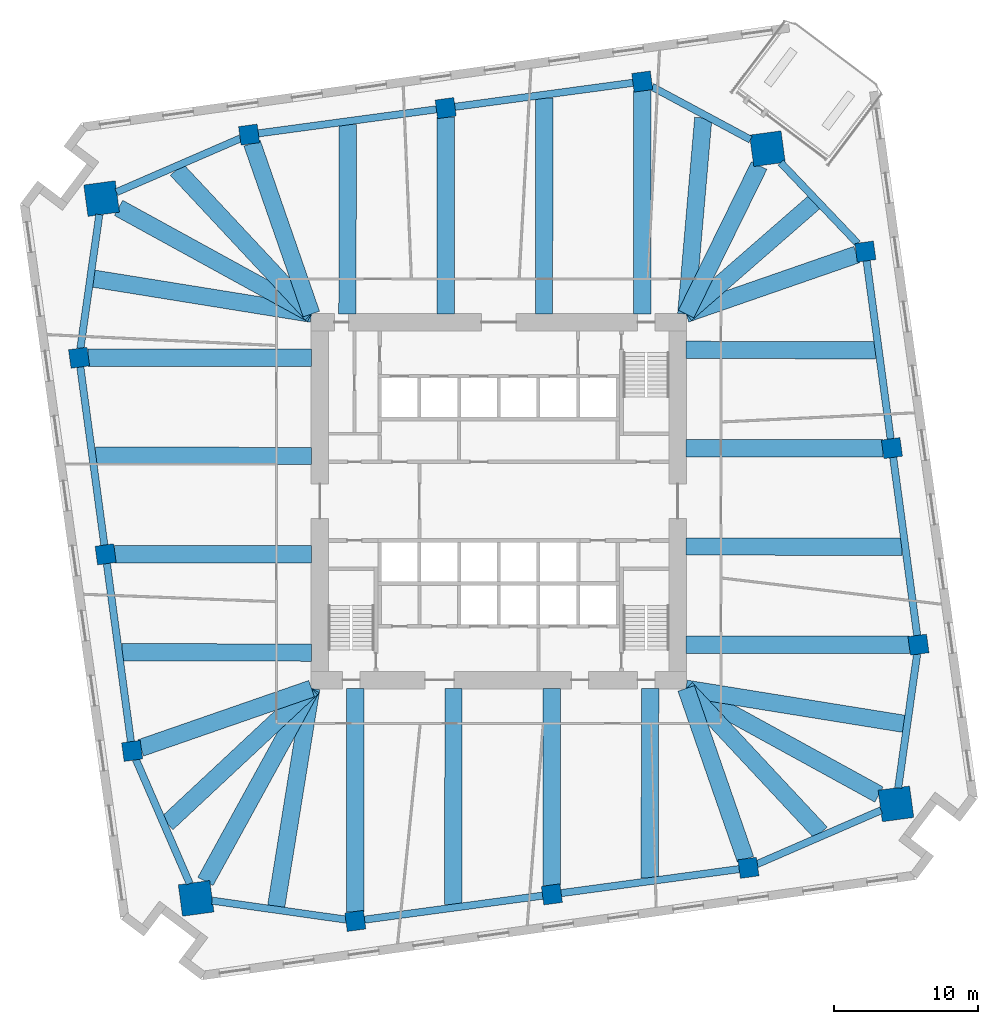
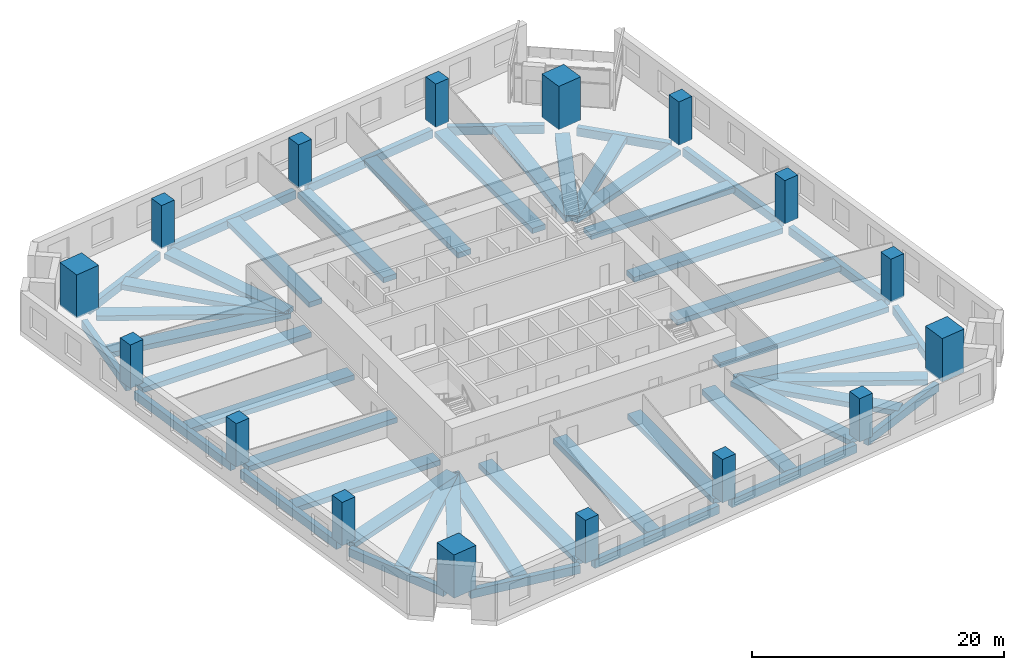
# One storey, part 1 of 12: 48 beams, 16 columns.
"""IFC4 building model written with IfcOpenShell, lengths in metres."""

import ifcopenshell
import ifcopenshell.guid

model = None  # the IFC model being written
_history = None  # IfcOwnerHistory: only IFC2X3 demands one
_inside = {}  # id of a spatial element -> (the spatial element, [elements in it])
_under = {}  # id of a project, library or spatial element -> (it, [spatial elements below it])
_declared = {}  # id of a project -> (the project, [libraries it declares])
_typed = {}  # id of a type object -> (the type object, [elements of that type])
_made_of = {}  # id of a material, layer set ... -> (it, [elements and type objects made of it])


def new_model(schema):
    """Start an empty IFC model of exactly this schema.

    Asked for "IFC4X3", IfcOpenShell would pick the latest addendum, in which some entities
    have other attributes; the version numbers below select the first issue.
    IFC2X3 requires an IfcOwnerHistory on every rooted entity: one is made here for all.
    """
    global model, _history
    if schema == "IFC4X3":
        model = ifcopenshell.file(schema_version=(4, 3, 0, 0))
    else:
        model = ifcopenshell.file(schema=schema)
    _inside.clear()
    _under.clear()
    _declared.clear()
    _typed.clear()
    _made_of.clear()
    _history = None
    if model.schema == "IFC2X3":
        org = make("IfcOrganization", Name="unknown")
        user = make(
            "IfcPersonAndOrganization",
            ThePerson=make("IfcPerson", FamilyName="unknown"),
            TheOrganization=org,
        )
        app = make(
            "IfcApplication",
            ApplicationDeveloper=org,
            Version="unknown",
            ApplicationFullName="unknown",
            ApplicationIdentifier="unknown",
        )
        _history = make(
            "IfcOwnerHistory",
            OwningUser=user,
            OwningApplication=app,
            ChangeAction="ADDED",
            CreationDate=0,
        )
    return model


def make(cls, **values):
    """One entity of the class cls with the attributes given. An attribute that is None is left unset."""
    return model.create_entity(
        cls, **{name: value for name, value in values.items() if value is not None}
    )


def rooted(cls, **values):
    """An entity with a GlobalId (a new one), such as an element, a storey or a relation."""
    return make(cls, GlobalId=ifcopenshell.guid.new(), OwnerHistory=_history, **values)


def si_unit(unit_type, name, prefix=None):
    """IfcSIUnit, for example si_unit("LENGTHUNIT", "METRE", prefix="MILLI")."""
    return make("IfcSIUnit", UnitType=unit_type, Prefix=prefix, Name=name)


def assignment(units):
    """IfcUnitAssignment: the units of a project."""
    return None if units is None else make("IfcUnitAssignment", Units=units)


def point(xyz):
    """IfcCartesianPoint."""
    return None if xyz is None else make("IfcCartesianPoint", Coordinates=xyz)


def direction(xyz):
    """IfcDirection."""
    return None if xyz is None else make("IfcDirection", DirectionRatios=xyz)


def frame(location, z_axis=None, x_axis=None):
    """IfcAxis2Placement3D, a coordinate frame: its origin and axes. An axis left out is left unset."""
    return make(
        "IfcAxis2Placement3D",
        Location=point(location),
        Axis=direction(z_axis),
        RefDirection=direction(x_axis),
    )


def frame_2d(location, x_axis=None):
    """IfcAxis2Placement2D, a coordinate frame in the plane: its origin and x axis."""
    return make(
        "IfcAxis2Placement2D", Location=point(location), RefDirection=direction(x_axis)
    )


def origin():
    """The frame at (0, 0, 0) with its axes left unset."""
    return frame((0.0, 0.0, 0.0))


def origin_2d():
    """The frame at (0, 0) in the plane with its x axis left unset."""
    return frame_2d((0.0, 0.0))


def place(relative_to, where):
    """IfcLocalPlacement: puts the frame where relative to a parent placement (None: the world)."""
    return make(
        "IfcLocalPlacement", PlacementRelTo=relative_to, RelativePlacement=where
    )


def context(
    kind, dimensions, precision=None, world=None, true_north=None, identifier=None
):
    """IfcGeometricRepresentationContext, for example the 3D "Model" context."""
    return make(
        "IfcGeometricRepresentationContext",
        ContextIdentifier=identifier,
        ContextType=kind,
        CoordinateSpaceDimension=dimensions,
        Precision=precision,
        WorldCoordinateSystem=world,
        TrueNorth=true_north,
    )


def subcontext(parent, identifier, kind, view, scale=None):
    """IfcGeometricRepresentationSubContext, for example "Body" below "Model"."""
    return make(
        "IfcGeometricRepresentationSubContext",
        ContextIdentifier=identifier,
        ContextType=kind,
        ParentContext=parent,
        TargetScale=scale,
        TargetView=view,
    )


def project(units=None, contexts=None):
    """IfcProject with its units and contexts."""
    return rooted(
        "IfcProject",
        Name="project",
        RepresentationContexts=contexts,
        UnitsInContext=assignment(units),
    )


def spatial(cls, under=None, at=None, **own):
    """A site, building, storey or space (cls), placed at a placement, below another one or the project."""
    s = rooted(cls, ObjectPlacement=at, **own)
    if under is not None:
        _under.setdefault(under.id(), (under, []))[1].append(s)
    return s


def profile(cls, at=None, kind="AREA", **sizes):
    """A parametric profile (cls). Its sizes go by their IFC names, for example OverallWidth=200.0."""
    return make(cls, ProfileType=kind, Position=at, **sizes)


def rectangle(**sizes):
    """IfcRectangleProfileDef."""
    return profile("IfcRectangleProfileDef", **sizes)


def extrude(swept, where, along, depth):
    """IfcExtrudedAreaSolid: the profile swept, set in the frame where, extruded along a direction by depth."""
    return make(
        "IfcExtrudedAreaSolid",
        SweptArea=swept,
        Position=where,
        ExtrudedDirection=direction(along),
        Depth=depth,
    )


def shape(context_of_items, identifier, shape_type, items):
    """IfcShapeRepresentation: the items that make up one representation, for example the "Body"."""
    return make(
        "IfcShapeRepresentation",
        ContextOfItems=context_of_items,
        RepresentationIdentifier=identifier,
        RepresentationType=shape_type,
        Items=items,
    )


def material(Name=None, Category=None):
    """IfcMaterial."""
    return make("IfcMaterial", Name=Name, Category=Category)


def material_profile(
    of_material, cross_section, Name=None, Category=None, Priority=None
):
    """IfcMaterialProfile: a cross section and its material."""
    return make(
        "IfcMaterialProfile",
        Name=Name,
        Material=of_material,
        Profile=cross_section,
        Priority=Priority,
        Category=Category,
    )


def profile_set(profiles, Name=None, composite=None):
    """IfcMaterialProfileSet."""
    return make(
        "IfcMaterialProfileSet",
        Name=Name,
        MaterialProfiles=profiles,
        CompositeProfile=composite,
    )


def made_of(thing, what):
    """Note that an element or type object is made of a material, layer set ...; save() writes the relation."""
    if what is not None:
        _made_of.setdefault(what.id(), (what, []))[1].append(thing)
    return thing


def type_object(cls, material=None, **own):
    """A type object (cls), such as IfcWallType, which elements share."""
    return made_of(rooted(cls, **own), material)


def element(
    cls,
    number,
    at=None,
    inside=None,
    cuts=None,
    type_object=None,
    material=None,
    context=None,
    identifier="Body",
    shape_type=None,
    held_by="IfcProductDefinitionShape",
    body=None,
    shapes=None,
    **own,
):
    """One element of the class cls, such as IfcWall. Its Tag is "e" and its number.

    at: its placement. inside: the storey or other place that contains it. cuts: it is an
    opening in that element (IfcRelVoidsElement). A single representation is given by context,
    identifier, shape_type and body (its items); several are given by shapes. held_by: the class
    of the entity that holds the representations. save() writes the other relations.
    """
    e = rooted(cls, Tag="e%d" % number, ObjectPlacement=at, **own)
    if body is not None:
        shapes = [shape(context, identifier, shape_type, body)]
    if shapes is not None:
        e.Representation = make(held_by, Representations=shapes)
    if inside is not None:
        _inside.setdefault(inside.id(), (inside, []))[1].append(e)
    if cuts is not None:
        rooted(
            "IfcRelVoidsElement", RelatingBuildingElement=cuts, RelatedOpeningElement=e
        )
    if type_object is not None:
        _typed.setdefault(type_object.id(), (type_object, []))[1].append(e)
    return made_of(e, material)


def aggregate(whole, parts):
    """IfcRelAggregates: a whole, such as a stair, and the parts it consists of."""
    return rooted("IfcRelAggregates", RelatingObject=whole, RelatedObjects=parts)


def save(model, path):
    """Write the relations noted so far, then the file.

    IfcRelAggregates (storeys below a building ...), IfcRelContainedInSpatialStructure (elements
    in a storey), IfcRelDefinesByType, IfcRelAssociatesMaterial and IfcRelDeclares: one each for
    every whole, place, type object, material and project.
    """
    for whole, parts in _under.values():
        aggregate(whole, parts)
    for where, things in _inside.values():
        rooted(
            "IfcRelContainedInSpatialStructure",
            RelatedElements=things,
            RelatingStructure=where,
        )
    for kind, things in _typed.values():
        rooted("IfcRelDefinesByType", RelatedObjects=things, RelatingType=kind)
    for what, things in _made_of.values():
        rooted("IfcRelAssociatesMaterial", RelatedObjects=things, RelatingMaterial=what)
    for by, libraries in _declared.values():
        rooted("IfcRelDeclares", RelatingContext=by, RelatedDefinitions=libraries)
    model.write(path)


model = new_model("IFC4")

# Units and contexts
model_context = context("Model", 3, precision=1e-05, world=origin(), true_north=direction((0.0, 1.0)))
body_context = subcontext(model_context, "Body", "Model", "MODEL_VIEW")
ifc_project = project(units=[si_unit("LENGTHUNIT", "METRE"), si_unit("AREAUNIT", "SQUARE_METRE"), si_unit("VOLUMEUNIT", "CUBIC_METRE"), si_unit("PLANEANGLEUNIT", "RADIAN"), si_unit("MASSUNIT", "GRAM", prefix="KILO")], contexts=[model_context])

# Site, building, storey
site_placement = place(None, origin())
site = spatial("IfcSite", under=ifc_project, at=site_placement, CompositionType="ELEMENT")
building_placement = place(site_placement, origin())
building = spatial("IfcBuilding", under=site, at=building_placement, Name="Dilmun Exchange Tower", CompositionType="ELEMENT")
storey_placement = place(building_placement, frame((0.0, 0.0, 55.5)))
storey = spatial("IfcBuildingStorey", under=building, at=storey_placement, Name="L12", CompositionType="ELEMENT", Elevation=55.5)

# Columns
ifc_material_1 = material(Name="Concrete C80/95", Category="concrete")
ifc_material_profile_1 = material_profile(ifc_material_1, rectangle(XDim=2.199951171875, YDim=2.199951171875, at=origin_2d()), Name="2200 x 2200")
ifc_profile_set_1 = profile_set([ifc_material_profile_1], Name="Concrete C80/95")
column_type_1 = type_object("IfcColumnType", Name="RC mega column 2200 x 2200 C80/95", PredefinedType="COLUMN", material=ifc_profile_set_1)
for number, where, z_axis, x_axis, name in (
    (1, (18.6220703125, 24.43701171875, 0.0), (0.0, 0.0, 1.0), (0.991001197216, 0.133853005627, 0.0), "Mega column M1"),
    (2, (-27.531005859375, 20.97900390625, 0.0), (0.0, 0.0, 1.0), (0.991001197216, 0.133853005627, 0.0), "Mega column M2"),
    (3, (-20.97900390625, -27.531005859375, 0.0), (0.0, 0.0, 1.0), (0.991001197216, 0.133853005627, 0.0), "Mega column M3"),
    (4, (27.531005859375, -20.97900390625, 0.0), (0.0, 0.0, 1.0), (0.991001197216, 0.133853005627, 0.0), "Mega column M4"),
):
    element("IfcColumn", number, at=place(storey_placement, frame(where, z_axis=z_axis, x_axis=x_axis)), inside=storey, type_object=column_type_1, Name=name, PredefinedType="COLUMN", context=body_context, shape_type="SweptSolid", body=[
        extrude(rectangle(XDim=2.199951171875, YDim=2.199951171875, at=origin_2d()), origin(), (0.0, 0.0, 1.0), 4.199951171875),
    ])
ifc_material_profile_2 = material_profile(ifc_material_1, rectangle(XDim=1.300048828125, YDim=1.300048828125, at=origin_2d()), Name="1300 x 1300")
ifc_profile_set_2 = profile_set([ifc_material_profile_2], Name="Concrete C80/95")
column_type_2 = type_object("IfcColumnType", Name="RC ring column 1300 x 1300 C80/95", PredefinedType="COLUMN", material=ifc_profile_set_2)
for number, where, z_axis, x_axis, name in (
    (5, (9.945068359375, 29.093017578125, 0.0), (0.0, 0.0, 1.0), (0.991001197216, 0.133853005627, 0.0), "Ring column R01"),
    (6, (-3.680908203125, 27.2529296875, 0.0), (0.0, 0.0, 1.0), (0.991001197216, 0.133853005627, 0.0), "Ring column R02"),
    (7, (-17.306884765625, 25.412109375, 0.0), (0.0, 0.0, 1.0), (0.991001197216, 0.133853005627, 0.0), "Ring column R03"),
    (8, (-29.093017578125, 9.945068359375, 0.0), (0.0, 0.0, 1.0), (0.991001197216, 0.133853005627, 0.0), "Ring column R04"),
    (9, (-27.2529296875, -3.680908203125, 0.0), (0.0, 0.0, 1.0), (0.991001197216, 0.133853005627, 0.0), "Ring column R05"),
    (10, (-25.412109375, -17.306884765625, 0.0), (0.0, 0.0, 1.0), (0.991001197216, 0.133853005627, 0.0), "Ring column R06"),
    (11, (-9.945068359375, -29.093017578125, 0.0), (0.0, 0.0, 1.0), (0.991001197216, 0.133853005627, 0.0), "Ring column R07"),
    (12, (3.680908203125, -27.2529296875, 0.0), (0.0, 0.0, 1.0), (0.991001197216, 0.133853005627, 0.0), "Ring column R08"),
    (13, (17.306884765625, -25.412109375, 0.0), (0.0, 0.0, 1.0), (0.991001197216, 0.133853005627, 0.0), "Ring column R09"),
    (14, (29.093017578125, -9.945068359375, 0.0), (0.0, 0.0, 1.0), (0.991001197216, 0.133853005627, 0.0), "Ring column R10"),
    (15, (27.2529296875, 3.680908203125, 0.0), (0.0, 0.0, 1.0), (0.991001197216, 0.133853005627, 0.0), "Ring column R11"),
    (16, (25.412109375, 17.306884765625, 0.0), (0.0, 0.0, 1.0), (0.991001197216, 0.133853005627, 0.0), "Ring column R12"),
):
    element("IfcColumn", number, at=place(storey_placement, frame(where, z_axis=z_axis, x_axis=x_axis)), inside=storey, type_object=column_type_2, Name=name, PredefinedType="COLUMN", context=body_context, shape_type="SweptSolid", body=[
        extrude(rectangle(XDim=1.300048828125, YDim=1.300048828125, at=origin_2d()), origin(), (0.0, 0.0, 1.0), 4.199951171875),
    ])

# Beams
ifc_material_2 = material(Name="Concrete C40/50", Category="concrete")
ifc_material_profile_3 = material_profile(ifc_material_2, rectangle(XDim=1.199951171875, YDim=0.5, at=origin_2d()), Name="1200 x 500")
ifc_profile_set_3 = profile_set([ifc_material_profile_3], Name="Concrete C40/50")
beam_type_1 = type_object("IfcBeamType", Name="RC band beam 1200 x 500 C40/50", PredefinedType="BEAM", material=ifc_profile_set_3)
beam_1_placement = place(storey_placement, frame((18.049560546875, 23.272216796875, -0.699951171875), z_axis=(-0.44116009834, -0.897428419225, 0.0), x_axis=(0.897428419225, -0.44116009834, 0.0)))
element("IfcBeam", 17, at=beam_1_placement, inside=storey, type_object=beam_type_1, Name="Band beam 1", PredefinedType="BEAM", context=body_context, shape_type="SweptSolid", body=[
    extrude(rectangle(XDim=1.199951171875, YDim=0.5, at=origin_2d()), origin(), (0.0, 0.0, 1.0), 11.47314453125),
])
beam_2_placement = place(storey_placement, frame((9.945068359375, 28.464111328125, -0.699951171875), z_axis=(0.0, -1.0, 0.0), x_axis=(1.0, 0.0, 0.0)))
element("IfcBeam", 18, at=beam_2_placement, inside=storey, type_object=beam_type_1, Name="Band beam 2", PredefinedType="BEAM", context=body_context, shape_type="SweptSolid", body=[
    extrude(rectangle(XDim=1.199951171875, YDim=0.5, at=origin_2d()), origin(), (0.0, 0.0, 1.0), 15.4912109375),
])
beam_3_placement = place(storey_placement, frame((-3.680908203125, 26.6240234375, -0.699951171875), z_axis=(0.0, -1.0, 0.0), x_axis=(1.0, 0.0, 0.0)))
element("IfcBeam", 19, at=beam_3_placement, inside=storey, type_object=beam_type_1, Name="Band beam 3", PredefinedType="BEAM", context=body_context, shape_type="SweptSolid", body=[
    extrude(rectangle(XDim=1.199951171875, YDim=0.5, at=origin_2d()), origin(), (0.0, 0.0, 1.0), 13.651123046875),
])
beam_4_placement = place(storey_placement, frame((-17.098388671875, 24.81103515625, -0.699951171875), z_axis=(0.327819910959, -0.94474023201, 0.0), x_axis=(0.94474023201, 0.327819910959, 0.0)))
element("IfcBeam", 20, at=beam_4_placement, inside=storey, type_object=beam_type_1, Name="Band beam 4", PredefinedType="BEAM", context=body_context, shape_type="SweptSolid", body=[
    extrude(rectangle(XDim=1.199951171875, YDim=0.5, at=origin_2d()), origin(), (0.0, 0.0, 1.0), 12.52880859375),
])
beam_5_placement = place(storey_placement, frame((-26.355712890625, 20.333740234375, -0.699951171875), z_axis=(0.876547324806, -0.481315683699, 0.0), x_axis=(0.481315683699, 0.876547324806, 0.0)))
element("IfcBeam", 21, at=beam_5_placement, inside=storey, type_object=beam_type_1, Name="Band beam 5", PredefinedType="BEAM", context=body_context, shape_type="SweptSolid", body=[
    extrude(rectangle(XDim=1.199951171875, YDim=0.5, at=origin_2d()), origin(), (0.0, 0.0, 1.0), 15.263671875),
])
beam_6_placement = place(storey_placement, frame((-28.464111328125, 9.945068359375, -0.699951171875), z_axis=(1.0, 0.0, 0.0), x_axis=(0.0, 1.0, 0.0)))
element("IfcBeam", 22, at=beam_6_placement, inside=storey, type_object=beam_type_1, Name="Band beam 6", PredefinedType="BEAM", context=body_context, shape_type="SweptSolid", body=[
    extrude(rectangle(XDim=1.199951171875, YDim=0.5, at=origin_2d()), origin(), (0.0, 0.0, 1.0), 15.4912109375),
])
beam_7_placement = place(storey_placement, frame((-26.6240234375, -3.680908203125, -0.699951171875), z_axis=(1.0, 0.0, 0.0), x_axis=(0.0, 1.0, 0.0)))
element("IfcBeam", 23, at=beam_7_placement, inside=storey, type_object=beam_type_1, Name="Band beam 7", PredefinedType="BEAM", context=body_context, shape_type="SweptSolid", body=[
    extrude(rectangle(XDim=1.199951171875, YDim=0.5, at=origin_2d()), origin(), (0.0, 0.0, 1.0), 13.651123046875),
])
beam_8_placement = place(storey_placement, frame((-24.81103515625, -17.098388671875, -0.699951171875), z_axis=(0.94474023201, 0.327819910959, 0.0), x_axis=(-0.327819910959, 0.94474023201, 0.0)))
element("IfcBeam", 24, at=beam_8_placement, inside=storey, type_object=beam_type_1, Name="Band beam 8", PredefinedType="BEAM", context=body_context, shape_type="SweptSolid", body=[
    extrude(rectangle(XDim=1.199951171875, YDim=0.5, at=origin_2d()), origin(), (0.0, 0.0, 1.0), 12.52880859375),
])
beam_9_placement = place(storey_placement, frame((-20.333740234375, -26.355712890625, -0.699951171875), z_axis=(0.481315683699, 0.876547324806, 0.0), x_axis=(-0.876547324806, 0.481315683699, 0.0)))
element("IfcBeam", 25, at=beam_9_placement, inside=storey, type_object=beam_type_1, Name="Band beam 9", PredefinedType="BEAM", context=body_context, shape_type="SweptSolid", body=[
    extrude(rectangle(XDim=1.199951171875, YDim=0.5, at=origin_2d()), origin(), (0.0, 0.0, 1.0), 15.263671875),
])
beam_10_placement = place(storey_placement, frame((-9.945068359375, -28.464111328125, -0.699951171875), z_axis=(0.0, 1.0, 0.0), x_axis=(-1.0, 0.0, 0.0)))
element("IfcBeam", 26, at=beam_10_placement, inside=storey, type_object=beam_type_1, Name="Band beam 10", PredefinedType="BEAM", context=body_context, shape_type="SweptSolid", body=[
    extrude(rectangle(XDim=1.199951171875, YDim=0.5, at=origin_2d()), origin(), (0.0, 0.0, 1.0), 15.4912109375),
])
beam_11_placement = place(storey_placement, frame((3.680908203125, -26.6240234375, -0.699951171875), z_axis=(0.0, 1.0, 0.0), x_axis=(-1.0, 0.0, 0.0)))
element("IfcBeam", 27, at=beam_11_placement, inside=storey, type_object=beam_type_1, Name="Band beam 11", PredefinedType="BEAM", context=body_context, shape_type="SweptSolid", body=[
    extrude(rectangle(XDim=1.199951171875, YDim=0.5, at=origin_2d()), origin(), (0.0, 0.0, 1.0), 13.651123046875),
])
beam_12_placement = place(storey_placement, frame((17.098388671875, -24.81103515625, -0.699951171875), z_axis=(-0.327819910959, 0.94474023201, 0.0), x_axis=(-0.94474023201, -0.327819910959, 0.0)))
element("IfcBeam", 28, at=beam_12_placement, inside=storey, type_object=beam_type_1, Name="Band beam 12", PredefinedType="BEAM", context=body_context, shape_type="SweptSolid", body=[
    extrude(rectangle(XDim=1.199951171875, YDim=0.5, at=origin_2d()), origin(), (0.0, 0.0, 1.0), 12.52880859375),
])
beam_13_placement = place(storey_placement, frame((26.355712890625, -20.333740234375, -0.699951171875), z_axis=(-0.876547324806, 0.481315683699, 0.0), x_axis=(-0.481315683699, -0.876547324806, 0.0)))
element("IfcBeam", 29, at=beam_13_placement, inside=storey, type_object=beam_type_1, Name="Band beam 13", PredefinedType="BEAM", context=body_context, shape_type="SweptSolid", body=[
    extrude(rectangle(XDim=1.199951171875, YDim=0.5, at=origin_2d()), origin(), (0.0, 0.0, 1.0), 15.263671875),
])
beam_14_placement = place(storey_placement, frame((28.464111328125, -9.945068359375, -0.699951171875), z_axis=(-1.0, 0.0, 0.0), x_axis=(0.0, -1.0, 0.0)))
element("IfcBeam", 30, at=beam_14_placement, inside=storey, type_object=beam_type_1, Name="Band beam 14", PredefinedType="BEAM", context=body_context, shape_type="SweptSolid", body=[
    extrude(rectangle(XDim=1.199951171875, YDim=0.5, at=origin_2d()), origin(), (0.0, 0.0, 1.0), 15.4912109375),
])
beam_15_placement = place(storey_placement, frame((26.6240234375, 3.680908203125, -0.699951171875), z_axis=(-1.0, 0.0, 0.0), x_axis=(0.0, -1.0, 0.0)))
element("IfcBeam", 31, at=beam_15_placement, inside=storey, type_object=beam_type_1, Name="Band beam 15", PredefinedType="BEAM", context=body_context, shape_type="SweptSolid", body=[
    extrude(rectangle(XDim=1.199951171875, YDim=0.5, at=origin_2d()), origin(), (0.0, 0.0, 1.0), 13.651123046875),
])
beam_16_placement = place(storey_placement, frame((24.81103515625, 17.098388671875, -0.699951171875), z_axis=(-0.94474023201, -0.327819910959, 0.0), x_axis=(0.327819910959, -0.94474023201, 0.0)))
element("IfcBeam", 32, at=beam_16_placement, inside=storey, type_object=beam_type_1, Name="Band beam 16", PredefinedType="BEAM", context=body_context, shape_type="SweptSolid", body=[
    extrude(rectangle(XDim=1.199951171875, YDim=0.5, at=origin_2d()), origin(), (0.0, 0.0, 1.0), 12.52880859375),
])
beam_17_placement = place(storey_placement, frame((14.177978515625, 26.568603515625, -0.699951171875), z_axis=(-0.086499148019, -0.996251924662, 0.0), x_axis=(0.996251924662, -0.086499148019, 0.0)))
element("IfcBeam", 33, at=beam_17_placement, inside=storey, type_object=beam_type_1, Name="Band beam 17", PredefinedType="BEAM", context=body_context, shape_type="SweptSolid", body=[
    extrude(rectangle(XDim=1.199951171875, YDim=0.5, at=origin_2d()), origin(), (0.0, 0.0, 1.0), 13.646728515625),
])
beam_18_placement = place(storey_placement, frame((3.161865234375, 27.951904296875, -0.699951171875), z_axis=(-0.001988456479, -0.999998023018, 0.0), x_axis=(0.999998023018, -0.001988456479, 0.0)))
element("IfcBeam", 34, at=beam_18_placement, inside=storey, type_object=beam_type_1, Name="Band beam 18", PredefinedType="BEAM", context=body_context, shape_type="SweptSolid", body=[
    extrude(rectangle(XDim=1.199951171875, YDim=0.5, at=origin_2d()), origin(), (0.0, 0.0, 1.0), 14.97900390625),
])
beam_19_placement = place(storey_placement, frame((-10.464111328125, 26.111572265625, -0.699951171875), z_axis=(-0.002266977971, -0.999997430402, 0.0), x_axis=(0.999997430402, -0.002266977971, 0.0)))
element("IfcBeam", 35, at=beam_19_placement, inside=storey, type_object=beam_type_1, Name="Band beam 19", PredefinedType="BEAM", context=body_context, shape_type="SweptSolid", body=[
    extrude(rectangle(XDim=1.199951171875, YDim=0.5, at=origin_2d()), origin(), (0.0, 0.0, 1.0), 13.138671875),
])
beam_20_placement = place(storey_placement, frame((-22.330322265625, 22.990966796875, -0.699951171875), z_axis=(0.682523984798, -0.730863195253, 0.0), x_axis=(0.730863195253, 0.682523984798, 0.0)))
element("IfcBeam", 36, at=beam_20_placement, inside=storey, type_object=beam_type_1, Name="Band beam 20", PredefinedType="BEAM", context=body_context, shape_type="SweptSolid", body=[
    extrude(rectangle(XDim=1.199951171875, YDim=0.5, at=origin_2d()), origin(), (0.0, 0.0, 1.0), 13.697265625),
])
beam_21_placement = place(storey_placement, frame((-28.09130859375, 15.4306640625, -0.699951171875), z_axis=(0.98727513595, -0.159021400868, 0.0), x_axis=(0.159021400868, 0.98727513595, 0.0)))
element("IfcBeam", 37, at=beam_21_placement, inside=storey, type_object=beam_type_1, Name="Band beam 21", PredefinedType="BEAM", context=body_context, shape_type="SweptSolid", body=[
    extrude(rectangle(XDim=1.199951171875, YDim=0.5, at=origin_2d()), origin(), (0.0, 0.0, 1.0), 15.312744140625),
])
beam_22_placement = place(storey_placement, frame((-27.951904296875, 3.161865234375, -0.699951171875), z_axis=(0.999998023018, -0.001988456479, 0.0), x_axis=(0.001988456479, 0.999998023018, 0.0)))
element("IfcBeam", 38, at=beam_22_placement, inside=storey, type_object=beam_type_1, Name="Band beam 22", PredefinedType="BEAM", context=body_context, shape_type="SweptSolid", body=[
    extrude(rectangle(XDim=1.199951171875, YDim=0.5, at=origin_2d()), origin(), (0.0, 0.0, 1.0), 14.97900390625),
])
beam_23_placement = place(storey_placement, frame((-26.111572265625, -10.464111328125, -0.699951171875), z_axis=(0.999997430402, -0.002266977971, 0.0), x_axis=(0.002266977971, 0.999997430402, 0.0)))
element("IfcBeam", 39, at=beam_23_placement, inside=storey, type_object=beam_type_1, Name="Band beam 23", PredefinedType="BEAM", context=body_context, shape_type="SweptSolid", body=[
    extrude(rectangle(XDim=1.199951171875, YDim=0.5, at=origin_2d()), origin(), (0.0, 0.0, 1.0), 13.138671875),
])
beam_24_placement = place(storey_placement, frame((-22.990966796875, -22.330322265625, -0.699951171875), z_axis=(0.730863195253, 0.682523984798, 0.0), x_axis=(-0.682523984798, 0.730863195253, 0.0)))
element("IfcBeam", 40, at=beam_24_placement, inside=storey, type_object=beam_type_1, Name="Band beam 24", PredefinedType="BEAM", context=body_context, shape_type="SweptSolid", body=[
    extrude(rectangle(XDim=1.199951171875, YDim=0.5, at=origin_2d()), origin(), (0.0, 0.0, 1.0), 13.697265625),
])
beam_25_placement = place(storey_placement, frame((-15.4306640625, -28.09130859375, -0.699951171875), z_axis=(0.159021400868, 0.98727513595, 0.0), x_axis=(-0.98727513595, 0.159021400868, 0.0)))
element("IfcBeam", 41, at=beam_25_placement, inside=storey, type_object=beam_type_1, Name="Band beam 25", PredefinedType="BEAM", context=body_context, shape_type="SweptSolid", body=[
    extrude(rectangle(XDim=1.199951171875, YDim=0.5, at=origin_2d()), origin(), (0.0, 0.0, 1.0), 15.312744140625),
])
beam_26_placement = place(storey_placement, frame((-3.161865234375, -27.951904296875, -0.699951171875), z_axis=(0.001988456479, 0.999998023018, 0.0), x_axis=(-0.999998023018, 0.001988456479, 0.0)))
element("IfcBeam", 42, at=beam_26_placement, inside=storey, type_object=beam_type_1, Name="Band beam 26", PredefinedType="BEAM", context=body_context, shape_type="SweptSolid", body=[
    extrude(rectangle(XDim=1.199951171875, YDim=0.5, at=origin_2d()), origin(), (0.0, 0.0, 1.0), 14.97900390625),
])
beam_27_placement = place(storey_placement, frame((10.464111328125, -26.111572265625, -0.699951171875), z_axis=(0.002266977971, 0.999997430402, 0.0), x_axis=(-0.999997430402, 0.002266977971, 0.0)))
element("IfcBeam", 43, at=beam_27_placement, inside=storey, type_object=beam_type_1, Name="Band beam 27", PredefinedType="BEAM", context=body_context, shape_type="SweptSolid", body=[
    extrude(rectangle(XDim=1.199951171875, YDim=0.5, at=origin_2d()), origin(), (0.0, 0.0, 1.0), 13.138671875),
])
beam_28_placement = place(storey_placement, frame((22.330322265625, -22.990966796875, -0.699951171875), z_axis=(-0.682523984798, 0.730863195253, 0.0), x_axis=(-0.730863195253, -0.682523984798, 0.0)))
element("IfcBeam", 44, at=beam_28_placement, inside=storey, type_object=beam_type_1, Name="Band beam 28", PredefinedType="BEAM", context=body_context, shape_type="SweptSolid", body=[
    extrude(rectangle(XDim=1.199951171875, YDim=0.5, at=origin_2d()), origin(), (0.0, 0.0, 1.0), 13.697265625),
])
beam_29_placement = place(storey_placement, frame((28.09130859375, -15.4306640625, -0.699951171875), z_axis=(-0.98727513595, 0.159021400868, 0.0), x_axis=(-0.159021400868, -0.98727513595, 0.0)))
element("IfcBeam", 45, at=beam_29_placement, inside=storey, type_object=beam_type_1, Name="Band beam 29", PredefinedType="BEAM", context=body_context, shape_type="SweptSolid", body=[
    extrude(rectangle(XDim=1.199951171875, YDim=0.5, at=origin_2d()), origin(), (0.0, 0.0, 1.0), 15.312744140625),
])
beam_30_placement = place(storey_placement, frame((27.951904296875, -3.161865234375, -0.699951171875), z_axis=(-0.999998023018, 0.001988456479, 0.0), x_axis=(-0.001988456479, -0.999998023018, 0.0)))
element("IfcBeam", 46, at=beam_30_placement, inside=storey, type_object=beam_type_1, Name="Band beam 30", PredefinedType="BEAM", context=body_context, shape_type="SweptSolid", body=[
    extrude(rectangle(XDim=1.199951171875, YDim=0.5, at=origin_2d()), origin(), (0.0, 0.0, 1.0), 14.97900390625),
])
beam_31_placement = place(storey_placement, frame((26.111572265625, 10.464111328125, -0.699951171875), z_axis=(-0.999997430402, 0.002266977971, 0.0), x_axis=(-0.002266977971, -0.999997430402, 0.0)))
element("IfcBeam", 47, at=beam_31_placement, inside=storey, type_object=beam_type_1, Name="Band beam 31", PredefinedType="BEAM", context=body_context, shape_type="SweptSolid", body=[
    extrude(rectangle(XDim=1.199951171875, YDim=0.5, at=origin_2d()), origin(), (0.0, 0.0, 1.0), 13.138671875),
])
beam_32_placement = place(storey_placement, frame((21.85546875, 20.71826171875, -0.699951171875), z_axis=(-0.75384567582, -0.657051517803, 0.0), x_axis=(0.657051517803, -0.75384567582, 0.0)))
element("IfcBeam", 48, at=beam_32_placement, inside=storey, type_object=beam_type_1, Name="Band beam 32", PredefinedType="BEAM", context=body_context, shape_type="SweptSolid", body=[
    extrude(rectangle(XDim=1.199951171875, YDim=0.5, at=origin_2d()), origin(), (0.0, 0.0, 1.0), 11.77392578125),
])
ifc_material_profile_4 = material_profile(ifc_material_2, rectangle(XDim=0.5, YDim=0.800048828125, at=origin_2d()), Name="500 x 800")
ifc_profile_set_4 = profile_set([ifc_material_profile_4], Name="Concrete C40/50")
beam_type_2 = type_object("IfcBeamType", Name="RC ring beam 500 x 800 C40/50", PredefinedType="SPANDREL", material=ifc_profile_set_4)
beam_33_placement = place(storey_placement, frame((17.44921875, 25.06640625, -0.85009765625), z_axis=(-0.881161870548, 0.472814718354, 0.0), x_axis=(-0.472814718354, -0.881161870548, 0.0)))
element("IfcBeam", 49, at=beam_33_placement, inside=storey, type_object=beam_type_2, Name="Ring beam 1", PredefinedType="SPANDREL", context=body_context, shape_type="SweptSolid", body=[
    extrude(rectangle(XDim=0.5, YDim=0.800048828125, at=origin_2d()), origin(), (0.0, 0.0, 1.0), 7.74072265625),
])
for number, where, z_axis, x_axis, name in (
    (50, (9.32763671875, 29.009521484375, -0.85009765625), (-0.991007411355, -0.133806990248, 0.0), (0.133806990248, -0.991007411355, 0.0), "Ring beam 2"),
    (51, (-4.29833984375, 27.169677734375, -0.85009765625), (-0.990994461239, -0.133902867012, 0.0), (0.133902867012, -0.990994461239, 0.0), "Ring beam 3"),
):
    element("IfcBeam", number, at=place(storey_placement, frame(where, z_axis=z_axis, x_axis=x_axis)), inside=storey, type_object=beam_type_2, Name=name, PredefinedType="SPANDREL", context=body_context, shape_type="SweptSolid", body=[
        extrude(rectangle(XDim=0.5, YDim=0.800048828125, at=origin_2d()), origin(), (0.0, 0.0, 1.0), 12.50390625),
    ])
beam_34_placement = place(storey_placement, frame((-17.90185546875, 25.154052734375, -0.85009765625), z_axis=(-0.917467286901, -0.397811233459, 0.0), x_axis=(0.397811233459, -0.917467286901, 0.0)))
element("IfcBeam", 52, at=beam_34_placement, inside=storey, type_object=beam_type_2, Name="Ring beam 4", PredefinedType="SPANDREL", context=body_context, shape_type="SweptSolid", body=[
    extrude(rectangle(XDim=0.5, YDim=0.800048828125, at=origin_2d()), origin(), (0.0, 0.0, 1.0), 9.37939453125),
])
beam_35_placement = place(storey_placement, frame((-27.6875, 19.8740234375, -0.85009765625), z_axis=(-0.140164060375, -0.990128292788, 0.0), x_axis=(0.990128292788, -0.140164060375, 0.0)))
element("IfcBeam", 53, at=beam_35_placement, inside=storey, type_object=beam_type_2, Name="Ring beam 5", PredefinedType="SPANDREL", context=body_context, shape_type="SweptSolid", body=[
    extrude(rectangle(XDim=0.5, YDim=0.800048828125, at=origin_2d()), origin(), (0.0, 0.0, 1.0), 9.379638671875),
])
for number, where, z_axis, x_axis, name in (
    (54, (-29.009521484375, 9.32763671875, -0.85009765625), (0.133806990248, -0.991007411355, 0.0), (0.991007411355, 0.133806990248, 0.0), "Ring beam 6"),
    (55, (-27.169677734375, -4.29833984375, -0.85009765625), (0.133902867012, -0.990994461239, 0.0), (0.990994461239, 0.133902867012, 0.0), "Ring beam 7"),
):
    element("IfcBeam", number, at=place(storey_placement, frame(where, z_axis=z_axis, x_axis=x_axis)), inside=storey, type_object=beam_type_2, Name=name, PredefinedType="SPANDREL", context=body_context, shape_type="SweptSolid", body=[
        extrude(rectangle(XDim=0.5, YDim=0.800048828125, at=origin_2d()), origin(), (0.0, 0.0, 1.0), 12.50390625),
    ])
beam_36_placement = place(storey_placement, frame((-25.154052734375, -17.90185546875, -0.85009765625), z_axis=(0.397811233459, -0.917467286901, 0.0), x_axis=(0.917467286901, 0.397811233459, 0.0)))
element("IfcBeam", 56, at=beam_36_placement, inside=storey, type_object=beam_type_2, Name="Ring beam 8", PredefinedType="SPANDREL", context=body_context, shape_type="SweptSolid", body=[
    extrude(rectangle(XDim=0.5, YDim=0.800048828125, at=origin_2d()), origin(), (0.0, 0.0, 1.0), 9.37939453125),
])
beam_37_placement = place(storey_placement, frame((-19.8740234375, -27.6875, -0.85009765625), z_axis=(0.990128292788, -0.140164060375, 0.0), x_axis=(0.140164060375, 0.990128292788, 0.0)))
element("IfcBeam", 57, at=beam_37_placement, inside=storey, type_object=beam_type_2, Name="Ring beam 9", PredefinedType="SPANDREL", context=body_context, shape_type="SweptSolid", body=[
    extrude(rectangle(XDim=0.5, YDim=0.800048828125, at=origin_2d()), origin(), (0.0, 0.0, 1.0), 9.379638671875),
])
for number, where, z_axis, x_axis, name in (
    (58, (-9.32763671875, -29.009521484375, -0.85009765625), (0.991007411355, 0.133806990248, 0.0), (-0.133806990248, 0.991007411355, 0.0), "Ring beam 10"),
    (59, (4.29833984375, -27.169677734375, -0.85009765625), (0.990994461239, 0.133902867012, 0.0), (-0.133902867012, 0.990994461239, 0.0), "Ring beam 11"),
):
    element("IfcBeam", number, at=place(storey_placement, frame(where, z_axis=z_axis, x_axis=x_axis)), inside=storey, type_object=beam_type_2, Name=name, PredefinedType="SPANDREL", context=body_context, shape_type="SweptSolid", body=[
        extrude(rectangle(XDim=0.5, YDim=0.800048828125, at=origin_2d()), origin(), (0.0, 0.0, 1.0), 12.50390625),
    ])
beam_38_placement = place(storey_placement, frame((17.90185546875, -25.154052734375, -0.85009765625), z_axis=(0.917467286901, 0.397811233459, 0.0), x_axis=(-0.397811233459, 0.917467286901, 0.0)))
element("IfcBeam", 60, at=beam_38_placement, inside=storey, type_object=beam_type_2, Name="Ring beam 12", PredefinedType="SPANDREL", context=body_context, shape_type="SweptSolid", body=[
    extrude(rectangle(XDim=0.5, YDim=0.800048828125, at=origin_2d()), origin(), (0.0, 0.0, 1.0), 9.37939453125),
])
beam_39_placement = place(storey_placement, frame((27.6875, -19.8740234375, -0.85009765625), z_axis=(0.140164060375, 0.990128292788, 0.0), x_axis=(-0.990128292788, 0.140164060375, 0.0)))
element("IfcBeam", 61, at=beam_39_placement, inside=storey, type_object=beam_type_2, Name="Ring beam 13", PredefinedType="SPANDREL", context=body_context, shape_type="SweptSolid", body=[
    extrude(rectangle(XDim=0.5, YDim=0.800048828125, at=origin_2d()), origin(), (0.0, 0.0, 1.0), 9.379638671875),
])
for number, where, z_axis, x_axis, name in (
    (62, (29.009521484375, -9.32763671875, -0.85009765625), (-0.133806990248, 0.991007411355, 0.0), (-0.991007411355, -0.133806990248, 0.0), "Ring beam 14"),
    (63, (27.169677734375, 4.29833984375, -0.85009765625), (-0.133902867012, 0.990994461239, 0.0), (-0.990994461239, -0.133902867012, 0.0), "Ring beam 15"),
):
    element("IfcBeam", number, at=place(storey_placement, frame(where, z_axis=z_axis, x_axis=x_axis)), inside=storey, type_object=beam_type_2, Name=name, PredefinedType="SPANDREL", context=body_context, shape_type="SweptSolid", body=[
        extrude(rectangle(XDim=0.5, YDim=0.800048828125, at=origin_2d()), origin(), (0.0, 0.0, 1.0), 12.50390625),
    ])
beam_40_placement = place(storey_placement, frame((24.877197265625, 17.86865234375, -0.85009765625), z_axis=(-0.689624451134, 0.724167188154, 0.0), x_axis=(-0.724167188154, -0.689624451134, 0.0)))
element("IfcBeam", 64, at=beam_40_placement, inside=storey, type_object=beam_type_2, Name="Ring beam 16", PredefinedType="SPANDREL", context=body_context, shape_type="SweptSolid", body=[
    extrude(rectangle(XDim=0.5, YDim=0.800048828125, at=origin_2d()), origin(), (0.0, 0.0, 1.0), 7.7392578125),
])

save(model, "model.ifc")
